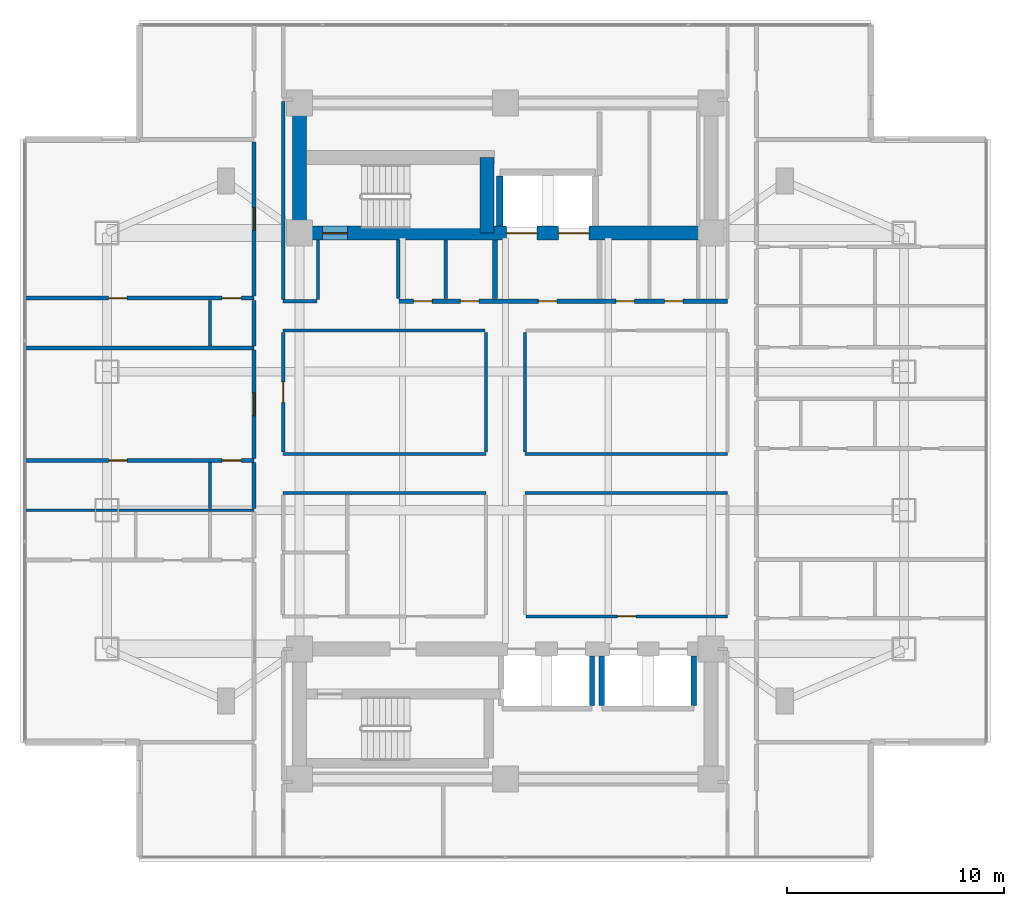
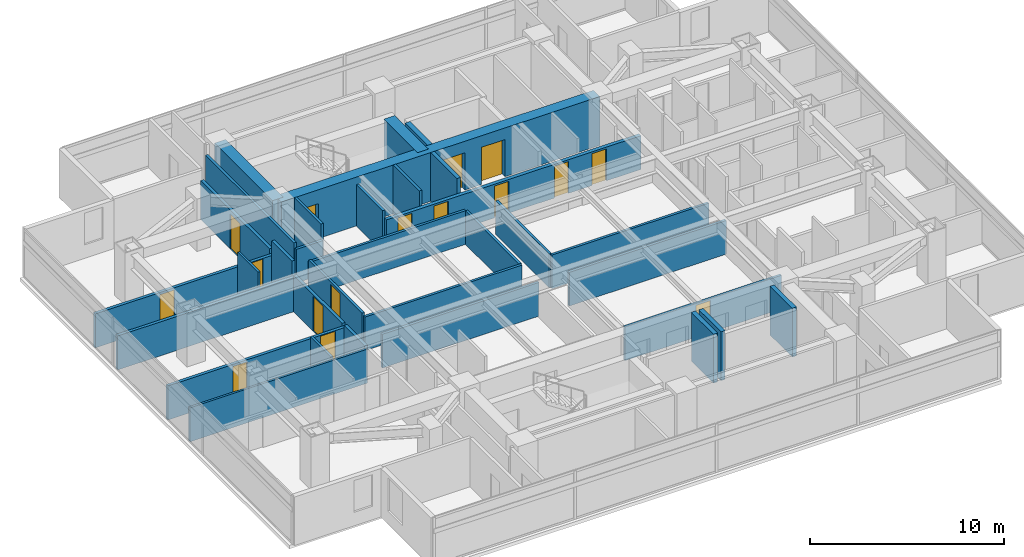
# One storey, part 14 of 25: 33 walls, 16 doors, 16 openings.
"""IFC4 building model written with IfcOpenShell, lengths in metres."""

from ifc_helpers import new_model, si_unit, direction, frame, frame_2d, origin, place, context, subcontext, project, spatial, rectangle, extrude, material, layer, layer_set, type_object, element, fill, save


model = new_model("IFC4")

# Units and contexts
model_context = context("Model", 3, precision=1e-05, world=origin(), true_north=direction((0.0, 1.0)))
body_context = subcontext(model_context, "Body", "Model", "MODEL_VIEW")
ifc_project = project(units=[si_unit("LENGTHUNIT", "METRE"), si_unit("AREAUNIT", "SQUARE_METRE"), si_unit("VOLUMEUNIT", "CUBIC_METRE"), si_unit("PLANEANGLEUNIT", "RADIAN"), si_unit("MASSUNIT", "GRAM", prefix="KILO")], contexts=[model_context])

# Site, building, storey
site_placement = place(None, origin())
site = spatial("IfcSite", under=ifc_project, at=site_placement, CompositionType="ELEMENT")
building_placement = place(site_placement, origin())
building = spatial("IfcBuilding", under=site, at=building_placement, Name="Mirazonda Arch Towers", CompositionType="ELEMENT")
storey_placement = place(building_placement, frame((0.0, 0.0, 111.5)))
storey = spatial("IfcBuildingStorey", under=building, at=storey_placement, Name="L31", CompositionType="ELEMENT", Elevation=111.5)

# Wall
ifc_material_1 = material(Name="Concrete C60/75", Category="concrete")
ifc_layer_1 = layer(ifc_material_1, 0.64990234375, Name="WALL-CORE-650")
ifc_layer_set_1 = layer_set([ifc_layer_1], Name="Concrete C60/75")
wall_type_1 = type_object("IfcWallType", Name="WALL-CORE-650", PredefinedType="SHEAR", material=ifc_layer_set_1)
wall_1_placement = place(storey_placement, frame((11.0, 37.60009765625, 0.0), z_axis=(0.0, 0.0, 1.0), x_axis=(0.0, 1.0, 0.0)))
element("IfcWall", 1, at=wall_1_placement, inside=storey, type_object=wall_type_1, Name="L31 T1N-W Core Shear Wall", PredefinedType="SHEAR", context=body_context, shape_type="SweptSolid", body=[
    extrude(rectangle(XDim=6.0, YDim=0.64990234375, at=frame_2d((3.0, 0.0))), origin(), (0.0, 0.0, 1.0), 3.080078125),
])

# Wall, openings, doors
wall_2_placement = place(storey_placement, frame((11.0, 37.60009765625, 0.0), z_axis=(0.0, 0.0, 1.0), x_axis=(1.0, 0.0, 0.0)))
wall_2 = element("IfcWall", 2, at=wall_2_placement, inside=storey, type_object=wall_type_1, Name="L31 T1N-S Core Shear Wall", PredefinedType="SHEAR", context=body_context, shape_type="SweptSolid", body=[
    extrude(rectangle(XDim=19.0, YDim=0.64990234375, at=frame_2d((9.5, 0.0))), origin(), (0.0, 0.0, 1.0), 3.080078125),
])
opening_1_placement = place(wall_2_placement, frame((1.06005859375, 0.0, 0.0)))
opening_1 = element("IfcOpeningElement", 3, at=opening_1_placement, cuts=wall_2, Name="Opening DR-135", PredefinedType="OPENING", context=body_context, shape_type="SweptSolid", body=[
    extrude(rectangle(XDim=1.14990234375, YDim=2.199951171875, at=frame_2d((0.574951171875, 1.10009765625))), frame((0.0, 0.3349609375, 0.0), z_axis=(0.0, -1.0, 0.0), x_axis=(1.0, 0.0, 0.0)), (0.0, 0.0, 1.0), 0.669921875),
])
opening_2_placement = place(wall_2_placement, frame((9.550048828125, 0.0, 0.0)))
opening_2 = element("IfcOpeningElement", 4, at=opening_2_placement, cuts=wall_2, Name="Opening LD-112", PredefinedType="OPENING", context=body_context, shape_type="SweptSolid", body=[
    extrude(rectangle(XDim=1.39990234375, YDim=2.35009765625, at=frame_2d((0.699951171875, 1.175048828125))), frame((0.0, 0.3349609375, 0.0), z_axis=(0.0, -1.0, 0.0), x_axis=(1.0, 0.0, 0.0)), (0.0, 0.0, 1.0), 0.669921875),
])
opening_3_placement = place(wall_2_placement, frame((11.949951171875, 0.0, 0.0)))
opening_3 = element("IfcOpeningElement", 5, at=opening_3_placement, cuts=wall_2, Name="Opening LD-112", PredefinedType="OPENING", context=body_context, shape_type="SweptSolid", body=[
    extrude(rectangle(XDim=1.39990234375, YDim=2.35009765625, at=frame_2d((0.699951171875, 1.175048828125))), frame((0.0, 0.3349609375, 0.0), z_axis=(0.0, -1.0, 0.0), x_axis=(1.0, 0.0, 0.0)), (0.0, 0.0, 1.0), 0.669921875),
])
ifc_material_2 = material(Name="Architectural Brushed Steel S355", Category="steel")
door_type_1 = type_object("IfcDoorType", Name="DOOR-LIFT-FFL-1400", OperationType="NOTDEFINED", PredefinedType="DOOR", material=ifc_material_2)
door_1_placement = place(opening_2_placement, origin())
door_1 = element("IfcDoor", 6, at=door_1_placement, inside=storey, type_object=door_type_1, Name="L31 Lift Landing Sliding Door FFL-T1", OperationType="DOUBLE_DOOR_SLIDING", OverallHeight=2.35009765625, OverallWidth=1.39990234375, PredefinedType="DOOR", context=body_context, shape_type="SweptSolid", body=[
    extrude(rectangle(XDim=1.39990234375, YDim=2.35009765625, at=frame_2d((0.699951171875, 1.175048828125))), frame((0.0, 0.02490234375, 0.0), z_axis=(0.0, -1.0, 0.0), x_axis=(1.0, 0.0, 0.0)), (0.0, 0.0, 1.0), 0.050048828125),
])
fill(opening_2, door_1)
door_2_placement = place(opening_3_placement, origin())
door_2 = element("IfcDoor", 7, at=door_2_placement, inside=storey, type_object=door_type_1, Name="L31 Lift Landing Sliding Door SVL-T1", OperationType="DOUBLE_DOOR_SLIDING", OverallHeight=2.35009765625, OverallWidth=1.39990234375, PredefinedType="DOOR", context=body_context, shape_type="SweptSolid", body=[
    extrude(rectangle(XDim=1.39990234375, YDim=2.35009765625, at=frame_2d((0.699951171875, 1.175048828125))), frame((0.0, 0.02490234375, 0.0), z_axis=(0.0, -1.0, 0.0), x_axis=(1.0, 0.0, 0.0)), (0.0, 0.0, 1.0), 0.050048828125),
])
fill(opening_3, door_2)
door_type_2 = type_object("IfcDoorType", Name="DOOR-STAIR-FD90-1150", OperationType="NOTDEFINED", PredefinedType="DOOR", material=ifc_material_2)
door_3_placement = place(opening_1_placement, origin())
door_3 = element("IfcDoor", 8, at=door_3_placement, inside=storey, type_object=door_type_2, Name="L31 Protected Exit Stair North Door", OperationType="SINGLE_SWING_LEFT", OverallHeight=2.199951171875, OverallWidth=1.14990234375, PredefinedType="DOOR", context=body_context, shape_type="SweptSolid", body=[
    extrude(rectangle(XDim=1.14990234375, YDim=2.199951171875, at=frame_2d((0.574951171875, 1.10009765625))), frame((0.0, 0.02490234375, 0.0), z_axis=(0.0, -1.0, 0.0), x_axis=(1.0, 0.0, 0.0)), (0.0, 0.0, 1.0), 0.050048828125),
])
fill(opening_1, door_3)

# Wall
wall_3_placement = place(storey_placement, frame((19.64990234375, 37.60009765625, 0.0), z_axis=(0.0, 0.0, 1.0), x_axis=(0.0, 1.0, 0.0)))
element("IfcWall", 9, at=wall_3_placement, inside=storey, type_object=wall_type_1, Name="L31 T1N-STE Core Shear Wall", PredefinedType="SHEAR", context=body_context, shape_type="SweptSolid", body=[
    extrude(rectangle(XDim=3.492919921875, YDim=0.64990234375, at=frame_2d((1.74658203125, 0.0))), origin(), (0.0, 0.0, 1.0), 3.080078125),
])

# Wall, openings, doors
ifc_material_3 = material(Name="Concrete C40/50", Category="concrete")
ifc_layer_2 = layer(ifc_material_3, 0.219970703125, Name="WALL-FFL-220")
ifc_layer_set_2 = layer_set([ifc_layer_2], Name="Concrete C40/50")
wall_type_2 = type_object("IfcWallType", Name="WALL-FFL-220", PredefinedType="SOLIDWALL", material=ifc_layer_set_2)
wall_4_placement = place(storey_placement, frame((15.590087890625, 34.449951171875, 0.0), z_axis=(0.0, 0.0, 1.0), x_axis=(1.0, 0.0, 0.0)))
wall_4 = element("IfcWall", 10, at=wall_4_placement, inside=storey, type_object=wall_type_2, Name="L31 Interior Partition 053", PredefinedType="SOLIDWALL", context=body_context, shape_type="SweptSolid", body=[
    extrude(rectangle(XDim=15.169921875, YDim=0.219970703125, at=frame_2d((7.5849609375, 0.0))), origin(), (0.0, 0.0, 1.0), 2.1240234375),
])
opening_4_placement = place(wall_4_placement, frame((6.43505859375, 0.0, 0.0)))
opening_4 = element("IfcOpeningElement", 11, at=opening_4_placement, cuts=wall_4, Name="Opening DR-128", PredefinedType="OPENING", context=body_context, shape_type="SweptSolid", body=[
    extrude(rectangle(XDim=0.85009765625, YDim=2.010009765625, at=frame_2d((0.425048828125, 1.0048828125))), frame((0.0, 0.119873046875, 0.0), z_axis=(0.0, -1.0, 0.0), x_axis=(1.0, 0.0, 0.0)), (0.0, 0.0, 1.0), 0.239990234375),
])
opening_5_placement = place(wall_4_placement, frame((10.010009765625, 0.0, 0.0)))
opening_5 = element("IfcOpeningElement", 12, at=opening_5_placement, cuts=wall_4, Name="Opening DR-128", PredefinedType="OPENING", context=body_context, shape_type="SweptSolid", body=[
    extrude(rectangle(XDim=0.85009765625, YDim=2.010009765625, at=frame_2d((0.425048828125, 1.0048828125))), frame((0.0, 0.119873046875, 0.0), z_axis=(0.0, -1.0, 0.0), x_axis=(1.0, 0.0, 0.0)), (0.0, 0.0, 1.0), 0.239990234375),
])
opening_6_placement = place(wall_4_placement, frame((12.260009765625, 0.0, 0.0)))
opening_6 = element("IfcOpeningElement", 13, at=opening_6_placement, cuts=wall_4, Name="Opening DR-128", PredefinedType="OPENING", context=body_context, shape_type="SweptSolid", body=[
    extrude(rectangle(XDim=0.85009765625, YDim=2.010009765625, at=frame_2d((0.425048828125, 1.0048828125))), frame((0.0, 0.119873046875, 0.0), z_axis=(0.0, -1.0, 0.0), x_axis=(1.0, 0.0, 0.0)), (0.0, 0.0, 1.0), 0.239990234375),
])
opening_7_placement = place(wall_4_placement, frame((0.675048828125, 0.0, 0.0)))
opening_7 = element("IfcOpeningElement", 14, at=opening_7_placement, cuts=wall_4, Name="Opening DR-128", PredefinedType="OPENING", context=body_context, shape_type="SweptSolid", body=[
    extrude(rectangle(XDim=0.85009765625, YDim=2.010009765625, at=frame_2d((0.425048828125, 1.0048828125))), frame((0.0, 0.119873046875, 0.0), z_axis=(0.0, -1.0, 0.0), x_axis=(1.0, 0.0, 0.0)), (0.0, 0.0, 1.0), 0.239990234375),
])
opening_8_placement = place(wall_4_placement, frame((2.8349609375, 0.0, 0.0)))
opening_8 = element("IfcOpeningElement", 15, at=opening_8_placement, cuts=wall_4, Name="Opening DR-128", PredefinedType="OPENING", context=body_context, shape_type="SweptSolid", body=[
    extrude(rectangle(XDim=0.85009765625, YDim=2.010009765625, at=frame_2d((0.425048828125, 1.0048828125))), frame((0.0, 0.119873046875, 0.0), z_axis=(0.0, -1.0, 0.0), x_axis=(1.0, 0.0, 0.0)), (0.0, 0.0, 1.0), 0.239990234375),
])
door_type_3 = type_object("IfcDoorType", Name="DOOR-RISER-FD60-850", OperationType="NOTDEFINED", PredefinedType="DOOR", material=ifc_material_2)
door_4_placement = place(opening_4_placement, origin())
door_4 = element("IfcDoor", 16, at=door_4_placement, inside=storey, type_object=door_type_3, Name="L31 Firefighting Lift Lobby Door", OperationType="SINGLE_SWING_RIGHT", OverallHeight=2.010009765625, OverallWidth=0.85009765625, PredefinedType="DOOR", context=body_context, shape_type="SweptSolid", body=[
    extrude(rectangle(XDim=0.85009765625, YDim=2.010009765625, at=frame_2d((0.425048828125, 1.0048828125))), frame((0.0, 0.02490234375, 0.0), z_axis=(0.0, -1.0, 0.0), x_axis=(1.0, 0.0, 0.0)), (0.0, 0.0, 1.0), 0.050048828125),
])
fill(opening_4, door_4)
door_5_placement = place(opening_5_placement, origin())
door_5 = element("IfcDoor", 17, at=door_5_placement, inside=storey, type_object=door_type_3, Name="L31 Executive Reading Library Door", OperationType="SINGLE_SWING_LEFT", OverallHeight=2.010009765625, OverallWidth=0.85009765625, PredefinedType="DOOR", context=body_context, shape_type="SweptSolid", body=[
    extrude(rectangle(XDim=0.85009765625, YDim=2.010009765625, at=frame_2d((0.425048828125, 1.0048828125))), frame((0.0, 0.02490234375, 0.0), z_axis=(0.0, -1.0, 0.0), x_axis=(1.0, 0.0, 0.0)), (0.0, 0.0, 1.0), 0.050048828125),
])
fill(opening_5, door_5)
door_6_placement = place(opening_6_placement, origin())
door_6 = element("IfcDoor", 18, at=door_6_placement, inside=storey, type_object=door_type_3, Name="L31 Private Quiet Study Door", OperationType="SINGLE_SWING_RIGHT", OverallHeight=2.010009765625, OverallWidth=0.85009765625, PredefinedType="DOOR", context=body_context, shape_type="SweptSolid", body=[
    extrude(rectangle(XDim=0.85009765625, YDim=2.010009765625, at=frame_2d((0.425048828125, 1.0048828125))), frame((0.0, 0.02490234375, 0.0), z_axis=(0.0, -1.0, 0.0), x_axis=(1.0, 0.0, 0.0)), (0.0, 0.0, 1.0), 0.050048828125),
])
fill(opening_6, door_6)
door_7_placement = place(opening_7_placement, origin())
door_7 = element("IfcDoor", 19, at=door_7_placement, inside=storey, type_object=door_type_3, Name="L31 Electrical Room Door", OperationType="SINGLE_SWING_LEFT", OverallHeight=2.010009765625, OverallWidth=0.85009765625, PredefinedType="DOOR", context=body_context, shape_type="SweptSolid", body=[
    extrude(rectangle(XDim=0.85009765625, YDim=2.010009765625, at=frame_2d((0.425048828125, 1.0048828125))), frame((0.0, 0.02490234375, 0.0), z_axis=(0.0, -1.0, 0.0), x_axis=(1.0, 0.0, 0.0)), (0.0, 0.0, 1.0), 0.050048828125),
])
fill(opening_7, door_7)
door_8_placement = place(opening_8_placement, origin())
door_8 = element("IfcDoor", 20, at=door_8_placement, inside=storey, type_object=door_type_3, Name="L31 Cleaners & Housekeeping Store Door", OperationType="SINGLE_SWING_RIGHT", OverallHeight=2.010009765625, OverallWidth=0.85009765625, PredefinedType="DOOR", context=body_context, shape_type="SweptSolid", body=[
    extrude(rectangle(XDim=0.85009765625, YDim=2.010009765625, at=frame_2d((0.425048828125, 1.0048828125))), frame((0.0, 0.02490234375, 0.0), z_axis=(0.0, -1.0, 0.0), x_axis=(1.0, 0.0, 0.0)), (0.0, 0.0, 1.0), 0.050048828125),
])
fill(opening_8, door_8)

# Wall
wall_5_placement = place(storey_placement, frame((20.02490234375, 34.570068359375, 0.0), z_axis=(0.0, 0.0, 1.0), x_axis=(0.0, 1.0, 0.0)))
element("IfcWall", 21, at=wall_5_placement, inside=storey, type_object=wall_type_2, Name="L31 Interior Partition 094", PredefinedType="SOLIDWALL", context=body_context, shape_type="SweptSolid", body=[
    extrude(rectangle(XDim=2.7099609375, YDim=0.219970703125, at=frame_2d((1.35498046875, 0.0))), origin(), (0.0, 0.0, 1.0), 3.080078125),
])

# Wall, opening, door
ifc_material_4 = material(Name="Fire-Rated Gypsum Stud Partition")
ifc_layer_3 = layer(ifc_material_4, 0.14990234375, Name="WALL-PART-CORR-150")
ifc_layer_set_3 = layer_set([ifc_layer_3], Name="Fire-Rated Gypsum Stud Partition")
wall_type_3 = type_object("IfcWallType", Name="WALL-PART-CORR-150", PredefinedType="PARTITIONING", material=ifc_layer_set_3)
wall_6_placement = place(storey_placement, frame((21.43994140625, 19.89990234375, 0.0), z_axis=(0.0, 0.0, 1.0), x_axis=(1.0, 0.0, 0.0)))
wall_6 = element("IfcWall", 22, at=wall_6_placement, inside=storey, type_object=wall_type_3, Name="L31 Interior Partition 016", PredefinedType="PARTITIONING", context=body_context, shape_type="SweptSolid", body=[
    extrude(rectangle(XDim=9.320068359375, YDim=0.14990234375, at=frame_2d((4.66015625, 0.0))), origin(), (0.0, 0.0, 1.0), 2.1240234375),
])
opening_9_placement = place(wall_6_placement, frame((4.235107421875, 0.0, 0.0)))
opening_9 = element("IfcOpeningElement", 23, at=opening_9_placement, cuts=wall_6, Name="Opening DR-128", PredefinedType="OPENING", context=body_context, shape_type="SweptSolid", body=[
    extrude(rectangle(XDim=0.85009765625, YDim=2.010009765625, at=frame_2d((0.425048828125, 1.0048828125))), frame((0.0, 0.0849609375, 0.0), z_axis=(0.0, -1.0, 0.0), x_axis=(1.0, 0.0, 0.0)), (0.0, 0.0, 1.0), 0.169921875),
])
door_9_placement = place(opening_9_placement, origin())
door_9 = element("IfcDoor", 24, at=door_9_placement, inside=storey, type_object=door_type_3, Name="L31 L31 South-East Cruciform Lounge Door", OperationType="SINGLE_SWING_RIGHT", OverallHeight=2.010009765625, OverallWidth=0.85009765625, PredefinedType="DOOR", context=body_context, shape_type="SweptSolid", body=[
    extrude(rectangle(XDim=0.85009765625, YDim=2.010009765625, at=frame_2d((0.425048828125, 1.0048828125))), frame((0.0, 0.02490234375, 0.0), z_axis=(0.0, -1.0, 0.0), x_axis=(1.0, 0.0, 0.0)), (0.0, 0.0, 1.0), 0.050048828125),
])
fill(opening_9, door_9)

# Walls
for number, where, z_axis, x_axis, name in (
    (25, (10.239990234375, 25.60009765625, 0.0), (0.0, 0.0, 1.0), (1.0, 0.0, 0.0), "L31 Interior Partition 029"),
    (26, (21.39990234375, 25.60009765625, 0.0), (0.0, 0.0, 1.0), (1.0, 0.0, 0.0), "L31 Interior Partition 030"),
    (27, (10.239990234375, 27.39990234375, 0.0), (0.0, 0.0, 1.0), (1.0, 0.0, 0.0), "L31 Interior Partition 034"),
    (28, (21.39990234375, 27.39990234375, 0.0), (0.0, 0.0, 1.0), (1.0, 0.0, 0.0), "L31 Interior Partition 035"),
):
    element("IfcWall", number, at=place(storey_placement, frame(where, z_axis=z_axis, x_axis=x_axis)), inside=storey, type_object=wall_type_3, Name=name, PredefinedType="PARTITIONING", context=body_context, shape_type="SweptSolid", body=[
        extrude(rectangle(XDim=9.360107421875, YDim=0.14990234375, at=frame_2d((4.68017578125, 0.0))), origin(), (0.0, 0.0, 1.0), 2.1240234375),
    ])
wall_7_placement = place(storey_placement, frame((10.239990234375, 33.10009765625, 0.0), z_axis=(0.0, 0.0, 1.0), x_axis=(1.0, 0.0, 0.0)))
element("IfcWall", 29, at=wall_7_placement, inside=storey, type_object=wall_type_3, Name="L31 Interior Partition 048", PredefinedType="PARTITIONING", context=body_context, shape_type="SweptSolid", body=[
    extrude(rectangle(XDim=9.320068359375, YDim=0.14990234375, at=frame_2d((4.66015625, 0.0))), origin(), (0.0, 0.0, 1.0), 2.1240234375),
])
wall_8_placement = place(storey_placement, frame((10.239990234375, 34.449951171875, 0.0), z_axis=(0.0, 0.0, 1.0), x_axis=(1.0, 0.0, 0.0)))
element("IfcWall", 30, at=wall_8_placement, inside=storey, type_object=wall_type_3, Name="L31 Interior Partition 052", PredefinedType="PARTITIONING", context=body_context, shape_type="SweptSolid", body=[
    extrude(rectangle(XDim=1.56005859375, YDim=0.14990234375, at=frame_2d((0.780029296875, 0.0))), origin(), (0.0, 0.0, 1.0), 2.1240234375),
])

# Wall, opening, door
wall_9_placement = place(storey_placement, frame((10.239990234375, 27.485107421875, 0.0), z_axis=(0.0, 0.0, 1.0), x_axis=(0.0, 1.0, 0.0)))
wall_9 = element("IfcWall", 31, at=wall_9_placement, inside=storey, type_object=wall_type_3, Name="L31 Interior Partition 082", PredefinedType="PARTITIONING", context=body_context, shape_type="SweptSolid", body=[
    extrude(rectangle(XDim=5.52978515625, YDim=0.14990234375, at=frame_2d((2.764892578125, 0.0))), origin(), (0.0, 0.0, 1.0), 2.299072265625),
])
opening_10_placement = place(wall_9_placement, frame((2.2900390625, 0.0, 0.0)))
opening_10 = element("IfcOpeningElement", 32, at=opening_10_placement, cuts=wall_9, Name="Opening DR-104", PredefinedType="OPENING", context=body_context, shape_type="SweptSolid", body=[
    extrude(rectangle(XDim=0.949951171875, YDim=2.14990234375, at=frame_2d((0.47509765625, 1.074951171875))), frame((0.0, 0.0849609375, 0.0), z_axis=(0.0, -1.0, 0.0), x_axis=(1.0, 0.0, 0.0)), (0.0, 0.0, 1.0), 0.169921875),
])
door_type_4 = type_object("IfcDoorType", Name="DOOR-ROOM-950", OperationType="NOTDEFINED", PredefinedType="DOOR", material=ifc_material_2)
door_10_placement = place(opening_10_placement, origin())
door_10 = element("IfcDoor", 33, at=door_10_placement, inside=storey, type_object=door_type_4, Name="L31 L31 West Courtyard Reading Salon Door", OperationType="SINGLE_SWING_LEFT", OverallHeight=2.14990234375, OverallWidth=0.949951171875, PredefinedType="DOOR", context=body_context, shape_type="SweptSolid", body=[
    extrude(rectangle(XDim=0.949951171875, YDim=2.14990234375, at=frame_2d((0.47509765625, 1.074951171875))), frame((0.0, 0.02490234375, 0.0), z_axis=(0.0, -1.0, 0.0), x_axis=(1.0, 0.0, 0.0)), (0.0, 0.0, 1.0), 0.050048828125),
])
fill(opening_10, door_10)

# Walls
wall_10_placement = place(storey_placement, frame((10.239990234375, 34.534912109375, 0.0), z_axis=(0.0, 0.0, 1.0), x_axis=(0.0, 1.0, 0.0)))
element("IfcWall", 34, at=wall_10_placement, inside=storey, type_object=wall_type_3, Name="L31 Interior Partition 083", PredefinedType="PARTITIONING", context=body_context, shape_type="SweptSolid", body=[
    extrude(rectangle(XDim=9.130126953125, YDim=0.14990234375, at=frame_2d((4.56494140625, 0.0))), origin(), (0.0, 0.0, 1.0), 2.4560546875),
])
wall_11_placement = place(storey_placement, frame((11.85009765625, 34.534912109375, 0.0), z_axis=(0.0, 0.0, 1.0), x_axis=(0.0, 1.0, 0.0)))
element("IfcWall", 35, at=wall_11_placement, inside=storey, type_object=wall_type_3, Name="L31 Interior Partition 085", PredefinedType="PARTITIONING", context=body_context, shape_type="SweptSolid", body=[
    extrude(rectangle(XDim=2.7451171875, YDim=0.14990234375, at=frame_2d((1.37255859375, 0.0))), origin(), (0.0, 0.0, 1.0), 3.080078125),
])
wall_12_placement = place(storey_placement, frame((15.550048828125, 34.570068359375, 0.0), z_axis=(0.0, 0.0, 1.0), x_axis=(0.0, 1.0, 0.0)))
element("IfcWall", 36, at=wall_12_placement, inside=storey, type_object=wall_type_3, Name="L31 Interior Partition 088", PredefinedType="PARTITIONING", context=body_context, shape_type="SweptSolid", body=[
    extrude(rectangle(XDim=2.7099609375, YDim=0.14990234375, at=frame_2d((1.35498046875, 0.0))), origin(), (0.0, 0.0, 1.0), 2.60888671875),
])
wall_13_placement = place(storey_placement, frame((17.75, 34.570068359375, 0.0), z_axis=(0.0, 0.0, 1.0), x_axis=(0.0, 1.0, 0.0)))
element("IfcWall", 37, at=wall_13_placement, inside=storey, type_object=wall_type_3, Name="L31 Interior Partition 090", PredefinedType="PARTITIONING", context=body_context, shape_type="SweptSolid", body=[
    extrude(rectangle(XDim=2.7099609375, YDim=0.14990234375, at=frame_2d((1.35498046875, 0.0))), origin(), (0.0, 0.0, 1.0), 3.080078125),
])
for number, where, z_axis, x_axis, name in (
    (38, (19.60009765625, 27.485107421875, 0.0), (0.0, 0.0, 1.0), (0.0, 1.0, 0.0), "L31 Interior Partition 092"),
    (39, (21.39990234375, 27.485107421875, 0.0), (0.0, 0.0, 1.0), (0.0, 1.0, 0.0), "L31 Interior Partition 099"),
):
    element("IfcWall", number, at=place(storey_placement, frame(where, z_axis=z_axis, x_axis=x_axis)), inside=storey, type_object=wall_type_3, Name=name, PredefinedType="PARTITIONING", context=body_context, shape_type="SweptSolid", body=[
        extrude(rectangle(XDim=5.52978515625, YDim=0.14990234375, at=frame_2d((2.764892578125, 0.0))), origin(), (0.0, 0.0, 1.0), 2.1240234375),
    ])

# Wall, openings, doors
ifc_material_5 = material(Name="Fire-Rated Gypsum Twin-Stud Assembly")
ifc_layer_4 = layer(ifc_material_5, 0.179931640625, Name="WALL-PART-DEMISE-180")
ifc_layer_set_4 = layer_set([ifc_layer_4], Name="Fire-Rated Gypsum Twin-Stud Assembly")
wall_type_4 = type_object("IfcWallType", Name="WALL-PART-DEMISE-180", PredefinedType="PARTITIONING", material=ifc_layer_set_4)
wall_14_placement = place(storey_placement, frame((-1.68994140625, 27.10009765625, 0.0), z_axis=(0.0, 0.0, 1.0), x_axis=(1.0, 0.0, 0.0)))
wall_14 = element("IfcWall", 40, at=wall_14_placement, inside=storey, type_object=wall_type_4, Name="L31 Interior Partition 033", PredefinedType="PARTITIONING", context=body_context, shape_type="SweptSolid", body=[
    extrude(rectangle(XDim=10.58984375, YDim=0.179931640625, at=frame_2d((5.294921875, 0.0))), origin(), (0.0, 0.0, 1.0), 2.14501953125),
])
opening_11_placement = place(wall_14_placement, frame((3.8701171875, 0.0, 0.0)))
opening_11 = element("IfcOpeningElement", 41, at=opening_11_placement, cuts=wall_14, Name="Opening DR-128", PredefinedType="OPENING", context=body_context, shape_type="SweptSolid", body=[
    extrude(rectangle(XDim=0.85009765625, YDim=2.010009765625, at=frame_2d((0.425048828125, 1.0048828125))), frame((0.0, 0.099853515625, 0.0), z_axis=(0.0, -1.0, 0.0), x_axis=(1.0, 0.0, 0.0)), (0.0, 0.0, 1.0), 0.199951171875),
])
opening_12_placement = place(wall_14_placement, frame((9.10009765625, 0.0, 0.0)))
opening_12 = element("IfcOpeningElement", 42, at=opening_12_placement, cuts=wall_14, Name="Opening DR-120", PredefinedType="OPENING", context=body_context, shape_type="SweptSolid", body=[
    extrude(rectangle(XDim=0.89990234375, YDim=2.10009765625, at=frame_2d((0.449951171875, 1.050048828125))), frame((0.0, 0.099853515625, 0.0), z_axis=(0.0, -1.0, 0.0), x_axis=(1.0, 0.0, 0.0)), (0.0, 0.0, 1.0), 0.199951171875),
])
door_11_placement = place(opening_11_placement, origin())
door_11 = element("IfcDoor", 43, at=door_11_placement, inside=storey, type_object=door_type_3, Name="L31 Studio 2 Galley Kitchen Door", OperationType="SINGLE_SWING_LEFT", OverallHeight=2.010009765625, OverallWidth=0.85009765625, PredefinedType="DOOR", context=body_context, shape_type="SweptSolid", body=[
    extrude(rectangle(XDim=0.85009765625, YDim=2.010009765625, at=frame_2d((0.425048828125, 1.0048828125))), frame((0.0, 0.02490234375, 0.0), z_axis=(0.0, -1.0, 0.0), x_axis=(1.0, 0.0, 0.0)), (0.0, 0.0, 1.0), 0.050048828125),
])
fill(opening_11, door_11)
door_type_5 = type_object("IfcDoorType", Name="DOOR-WC-900", OperationType="NOTDEFINED", PredefinedType="DOOR", material=ifc_material_2)
door_12_placement = place(opening_12_placement, origin())
door_12 = element("IfcDoor", 44, at=door_12_placement, inside=storey, type_object=door_type_5, Name="L31 Studio 2 Bathroom Door", OperationType="SINGLE_SWING_RIGHT", OverallHeight=2.10009765625, OverallWidth=0.89990234375, PredefinedType="DOOR", context=body_context, shape_type="SweptSolid", body=[
    extrude(rectangle(XDim=0.89990234375, YDim=2.10009765625, at=frame_2d((0.449951171875, 1.050048828125))), frame((0.0, 0.02490234375, 0.0), z_axis=(0.0, -1.0, 0.0), x_axis=(1.0, 0.0, 0.0)), (0.0, 0.0, 1.0), 0.050048828125),
])
fill(opening_12, door_12)

# Wall
wall_15_placement = place(storey_placement, frame((-1.68994140625, 32.294921875, 0.0), z_axis=(0.0, 0.0, 1.0), x_axis=(1.0, 0.0, 0.0)))
element("IfcWall", 45, at=wall_15_placement, inside=storey, type_object=wall_type_4, Name="L31 Interior Partition 045", PredefinedType="PARTITIONING", context=body_context, shape_type="SweptSolid", body=[
    extrude(rectangle(XDim=10.58984375, YDim=0.179931640625, at=frame_2d((5.294921875, 0.0))), origin(), (0.0, 0.0, 1.0), 2.14501953125),
])

# Wall, openings, doors
wall_16_placement = place(storey_placement, frame((-1.68994140625, 34.594970703125, 0.0), z_axis=(0.0, 0.0, 1.0), x_axis=(1.0, 0.0, 0.0)))
wall_16 = element("IfcWall", 46, at=wall_16_placement, inside=storey, type_object=wall_type_4, Name="L31 Interior Partition 051", PredefinedType="PARTITIONING", context=body_context, shape_type="SweptSolid", body=[
    extrude(rectangle(XDim=10.58984375, YDim=0.179931640625, at=frame_2d((5.294921875, 0.0))), origin(), (0.0, 0.0, 1.0), 2.14501953125),
])
opening_13_placement = place(wall_16_placement, frame((3.8701171875, 0.0, 0.0)))
opening_13 = element("IfcOpeningElement", 47, at=opening_13_placement, cuts=wall_16, Name="Opening DR-128", PredefinedType="OPENING", context=body_context, shape_type="SweptSolid", body=[
    extrude(rectangle(XDim=0.85009765625, YDim=2.010009765625, at=frame_2d((0.425048828125, 1.0048828125))), frame((0.0, 0.099853515625, 0.0), z_axis=(0.0, -1.0, 0.0), x_axis=(1.0, 0.0, 0.0)), (0.0, 0.0, 1.0), 0.199951171875),
])
opening_14_placement = place(wall_16_placement, frame((9.10009765625, 0.0, 0.0)))
opening_14 = element("IfcOpeningElement", 48, at=opening_14_placement, cuts=wall_16, Name="Opening DR-120", PredefinedType="OPENING", context=body_context, shape_type="SweptSolid", body=[
    extrude(rectangle(XDim=0.89990234375, YDim=2.10009765625, at=frame_2d((0.449951171875, 1.050048828125))), frame((0.0, 0.099853515625, 0.0), z_axis=(0.0, -1.0, 0.0), x_axis=(1.0, 0.0, 0.0)), (0.0, 0.0, 1.0), 0.199951171875),
])
door_13_placement = place(opening_13_placement, origin())
door_13 = element("IfcDoor", 49, at=door_13_placement, inside=storey, type_object=door_type_3, Name="L31 Studio 3 Galley Kitchen Door", OperationType="SINGLE_SWING_RIGHT", OverallHeight=2.010009765625, OverallWidth=0.85009765625, PredefinedType="DOOR", context=body_context, shape_type="SweptSolid", body=[
    extrude(rectangle(XDim=0.85009765625, YDim=2.010009765625, at=frame_2d((0.425048828125, 1.0048828125))), frame((0.0, 0.02490234375, 0.0), z_axis=(0.0, -1.0, 0.0), x_axis=(1.0, 0.0, 0.0)), (0.0, 0.0, 1.0), 0.050048828125),
])
fill(opening_13, door_13)
door_14_placement = place(opening_14_placement, origin())
door_14 = element("IfcDoor", 50, at=door_14_placement, inside=storey, type_object=door_type_5, Name="L31 Studio 3 Bathroom Door", OperationType="SINGLE_SWING_LEFT", OverallHeight=2.10009765625, OverallWidth=0.89990234375, PredefinedType="DOOR", context=body_context, shape_type="SweptSolid", body=[
    extrude(rectangle(XDim=0.89990234375, YDim=2.10009765625, at=frame_2d((0.449951171875, 1.050048828125))), frame((0.0, 0.02490234375, 0.0), z_axis=(0.0, -1.0, 0.0), x_axis=(1.0, 0.0, 0.0)), (0.0, 0.0, 1.0), 0.050048828125),
])
fill(opening_14, door_14)

# Wall
wall_17_placement = place(storey_placement, frame((8.89990234375, 24.87255859375, 0.0), z_axis=(0.0, 0.0, 1.0), x_axis=(0.0, 1.0, 0.0)))
element("IfcWall", 51, at=wall_17_placement, inside=storey, type_object=wall_type_4, Name="L31 Interior Partition 073", PredefinedType="PARTITIONING", context=body_context, shape_type="SweptSolid", body=[
    extrude(rectangle(XDim=2.12744140625, YDim=0.179931640625, at=frame_2d((1.063720703125, 0.0))), origin(), (0.0, 0.0, 1.0), 2.299072265625),
])

# Wall, opening, door
wall_18_placement = place(storey_placement, frame((8.89990234375, 27.199951171875, 0.0), z_axis=(0.0, 0.0, 1.0), x_axis=(0.0, 1.0, 0.0)))
wall_18 = element("IfcWall", 52, at=wall_18_placement, inside=storey, type_object=wall_type_4, Name="L31 Interior Partition 074", PredefinedType="PARTITIONING", context=body_context, shape_type="SweptSolid", body=[
    extrude(rectangle(XDim=4.9951171875, YDim=0.179931640625, at=frame_2d((2.49755859375, 0.0))), origin(), (0.0, 0.0, 1.0), 2.299072265625),
])
opening_15_placement = place(wall_18_placement, frame((1.972412109375, 0.0, 0.0)))
opening_15 = element("IfcOpeningElement", 53, at=opening_15_placement, cuts=wall_18, Name="Opening DR-121", PredefinedType="OPENING", context=body_context, shape_type="SweptSolid", body=[
    extrude(rectangle(XDim=1.050048828125, YDim=2.199951171875, at=frame_2d((0.52490234375, 1.10009765625))), frame((0.0, 0.099853515625, 0.0), z_axis=(0.0, -1.0, 0.0), x_axis=(1.0, 0.0, 0.0)), (0.0, 0.0, 1.0), 0.199951171875),
])
door_type_6 = type_object("IfcDoorType", Name="DOOR-SUITE-FD60-1050", OperationType="NOTDEFINED", PredefinedType="DOOR", material=ifc_material_2)
door_15_placement = place(opening_15_placement, origin())
door_15 = element("IfcDoor", 54, at=door_15_placement, inside=storey, type_object=door_type_6, Name="L31 Studio Apartment 2 Living Salon Door", OperationType="SINGLE_SWING_RIGHT", OverallHeight=2.199951171875, OverallWidth=1.050048828125, PredefinedType="DOOR", context=body_context, shape_type="SweptSolid", body=[
    extrude(rectangle(XDim=1.050048828125, YDim=2.199951171875, at=frame_2d((0.52490234375, 1.10009765625))), frame((0.0, 0.02490234375, 0.0), z_axis=(0.0, -1.0, 0.0), x_axis=(1.0, 0.0, 0.0)), (0.0, 0.0, 1.0), 0.050048828125),
])
fill(opening_15, door_15)

# Wall
wall_19_placement = place(storey_placement, frame((8.89990234375, 32.39501953125, 0.0), z_axis=(0.0, 0.0, 1.0), x_axis=(0.0, 1.0, 0.0)))
element("IfcWall", 55, at=wall_19_placement, inside=storey, type_object=wall_type_4, Name="L31 Interior Partition 075", PredefinedType="PARTITIONING", context=body_context, shape_type="SweptSolid", body=[
    extrude(rectangle(XDim=2.10009765625, YDim=0.179931640625, at=frame_2d((1.050048828125, 0.0))), origin(), (0.0, 0.0, 1.0), 3.080078125),
])

# Wall, opening, door
wall_20_placement = place(storey_placement, frame((8.89990234375, 34.695068359375, 0.0), z_axis=(0.0, 0.0, 1.0), x_axis=(0.0, 1.0, 0.0)))
wall_20 = element("IfcWall", 56, at=wall_20_placement, inside=storey, type_object=wall_type_4, Name="L31 Interior Partition 076", PredefinedType="PARTITIONING", context=body_context, shape_type="SweptSolid", body=[
    extrude(rectangle(XDim=7.115966796875, YDim=0.179931640625, at=frame_2d((3.55810546875, 0.0))), origin(), (0.0, 0.0, 1.0), 2.4560546875),
])
opening_16_placement = place(wall_20_placement, frame((3.032958984375, 0.0, 0.0)))
opening_16 = element("IfcOpeningElement", 57, at=opening_16_placement, cuts=wall_20, Name="Opening DR-121", PredefinedType="OPENING", context=body_context, shape_type="SweptSolid", body=[
    extrude(rectangle(XDim=1.050048828125, YDim=2.199951171875, at=frame_2d((0.52490234375, 1.10009765625))), frame((0.0, 0.099853515625, 0.0), z_axis=(0.0, -1.0, 0.0), x_axis=(1.0, 0.0, 0.0)), (0.0, 0.0, 1.0), 0.199951171875),
])
door_16_placement = place(opening_16_placement, origin())
door_16 = element("IfcDoor", 58, at=door_16_placement, inside=storey, type_object=door_type_6, Name="L31 Studio Apartment 3 Living Salon Door", OperationType="SINGLE_SWING_LEFT", OverallHeight=2.199951171875, OverallWidth=1.050048828125, PredefinedType="DOOR", context=body_context, shape_type="SweptSolid", body=[
    extrude(rectangle(XDim=1.050048828125, YDim=2.199951171875, at=frame_2d((0.52490234375, 1.10009765625))), frame((0.0, 0.02490234375, 0.0), z_axis=(0.0, -1.0, 0.0), x_axis=(1.0, 0.0, 0.0)), (0.0, 0.0, 1.0), 0.050048828125),
])
fill(opening_16, door_16)

# Walls
ifc_material_6 = material(Name="Acoustic Fire-Rated Gypsum Partition")
ifc_layer_5 = layer(ifc_material_6, 0.125, Name="WALL-PART-UNIT-125")
ifc_layer_set_5 = layer_set([ifc_layer_5], Name="Acoustic Fire-Rated Gypsum Partition")
wall_type_5 = type_object("IfcWallType", Name="WALL-PART-UNIT-125", PredefinedType="PARTITIONING", material=ifc_layer_set_5)
wall_21_placement = place(storey_placement, frame((-1.68994140625, 24.800048828125, 0.0), z_axis=(0.0, 0.0, 1.0), x_axis=(1.0, 0.0, 0.0)))
element("IfcWall", 59, at=wall_21_placement, inside=storey, type_object=wall_type_5, Name="L31 Interior Partition 027", PredefinedType="PARTITIONING", context=body_context, shape_type="SweptSolid", body=[
    extrude(rectangle(XDim=10.58984375, YDim=0.125, at=frame_2d((5.294921875, 0.0))), origin(), (0.0, 0.0, 1.0), 2.14501953125),
])
wall_22_placement = place(storey_placement, frame((6.860107421875, 24.87255859375, 0.0), z_axis=(0.0, 0.0, 1.0), x_axis=(0.0, 1.0, 0.0)))
element("IfcWall", 60, at=wall_22_placement, inside=storey, type_object=wall_type_5, Name="L31 Interior Partition 068", PredefinedType="PARTITIONING", context=body_context, shape_type="SweptSolid", body=[
    extrude(rectangle(XDim=2.12744140625, YDim=0.125, at=frame_2d((1.063720703125, 0.0))), origin(), (0.0, 0.0, 1.0), 2.299072265625),
])
wall_23_placement = place(storey_placement, frame((6.860107421875, 32.39501953125, 0.0), z_axis=(0.0, 0.0, 1.0), x_axis=(0.0, 1.0, 0.0)))
element("IfcWall", 61, at=wall_23_placement, inside=storey, type_object=wall_type_5, Name="L31 Interior Partition 069", PredefinedType="PARTITIONING", context=body_context, shape_type="SweptSolid", body=[
    extrude(rectangle(XDim=2.10009765625, YDim=0.125, at=frame_2d((1.050048828125, 0.0))), origin(), (0.0, 0.0, 1.0), 3.080078125),
])
ifc_layer_6 = layer(ifc_material_3, 0.25, Name="WALL-SHAFT-250")
ifc_layer_set_6 = layer_set([ifc_layer_6], Name="Concrete C40/50")
wall_type_6 = type_object("IfcWallType", Name="WALL-SHAFT-250", PredefinedType="SOLIDWALL", material=ifc_layer_set_6)
for number, where, z_axis, x_axis, name in (
    (62, (24.5, 15.784912109375, 0.0), (0.0, 0.0, 1.0), (0.0, 1.0, 0.0), "L31 Interior Partition 100"),
    (63, (24.949951171875, 15.784912109375, 0.0), (0.0, 0.0, 1.0), (0.0, 1.0, 0.0), "L31 Interior Partition 102"),
    (64, (29.199951171875, 15.784912109375, 0.0), (0.0, 0.0, 1.0), (0.0, 1.0, 0.0), "L31 Interior Partition 107"),
):
    element("IfcWall", number, at=place(storey_placement, frame(where, z_axis=z_axis, x_axis=x_axis)), inside=storey, type_object=wall_type_6, Name=name, PredefinedType="SOLIDWALL", context=body_context, shape_type="SweptSolid", body=[
        extrude(rectangle(XDim=2.295166015625, YDim=0.25, at=frame_2d((1.1474609375, 0.0))), origin(), (0.0, 0.0, 1.0), 3.080078125),
    ])
ifc_material_7 = material(Name="Concrete C50/60", Category="concrete")
ifc_layer_7 = layer(ifc_material_7, 0.300048828125, Name="WALL-SHAFT-300")
ifc_layer_set_7 = layer_set([ifc_layer_7], Name="Concrete C50/60")
wall_type_7 = type_object("IfcWallType", Name="WALL-SHAFT-300", PredefinedType="SOLIDWALL", material=ifc_layer_set_7)
wall_24_placement = place(storey_placement, frame((20.25, 37.919921875, 0.0), z_axis=(0.0, 0.0, 1.0), x_axis=(0.0, 1.0, 0.0)))
element("IfcWall", 65, at=wall_24_placement, inside=storey, type_object=wall_type_7, Name="L31 Interior Partition 097", PredefinedType="SOLIDWALL", context=body_context, shape_type="SweptSolid", body=[
    extrude(rectangle(XDim=2.320068359375, YDim=0.300048828125, at=frame_2d((1.16015625, 0.0))), origin(), (0.0, 0.0, 1.0), 3.080078125),
])

save(model, "model.ifc")
